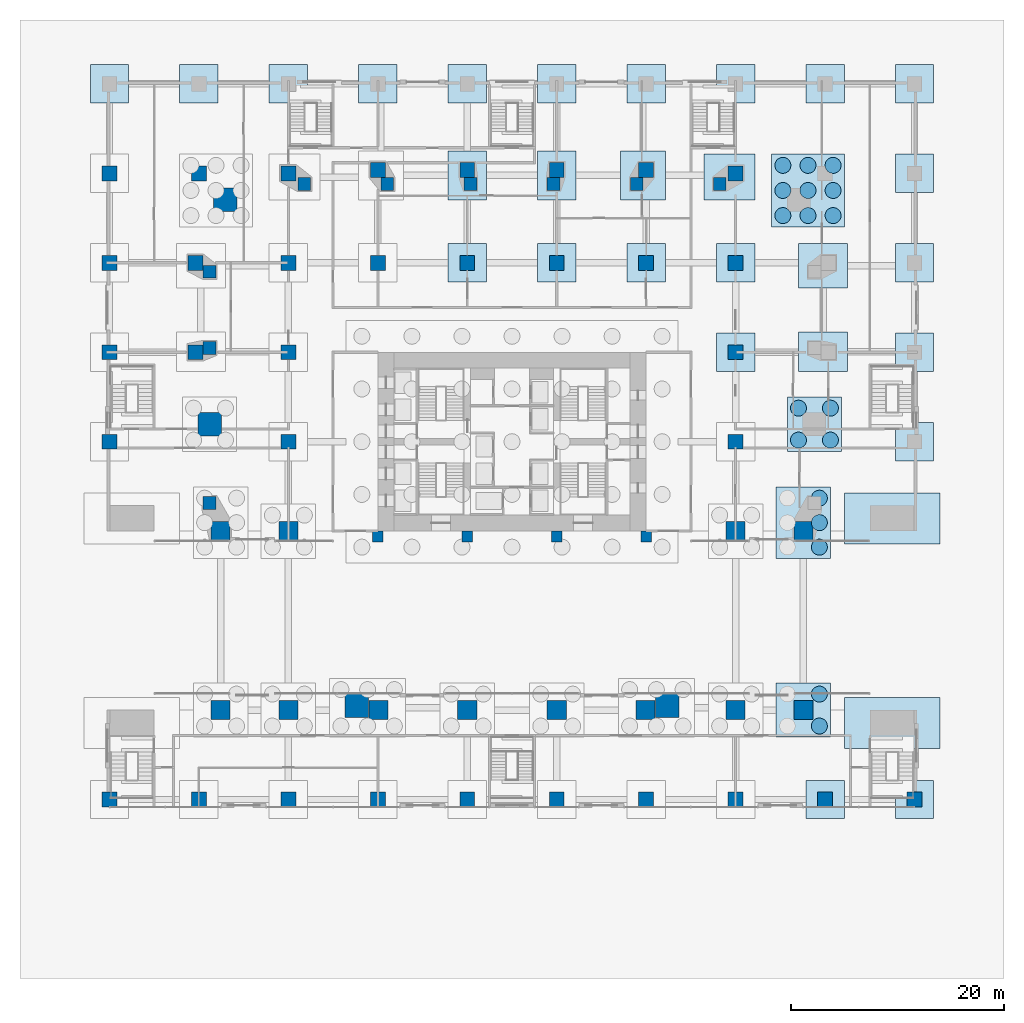
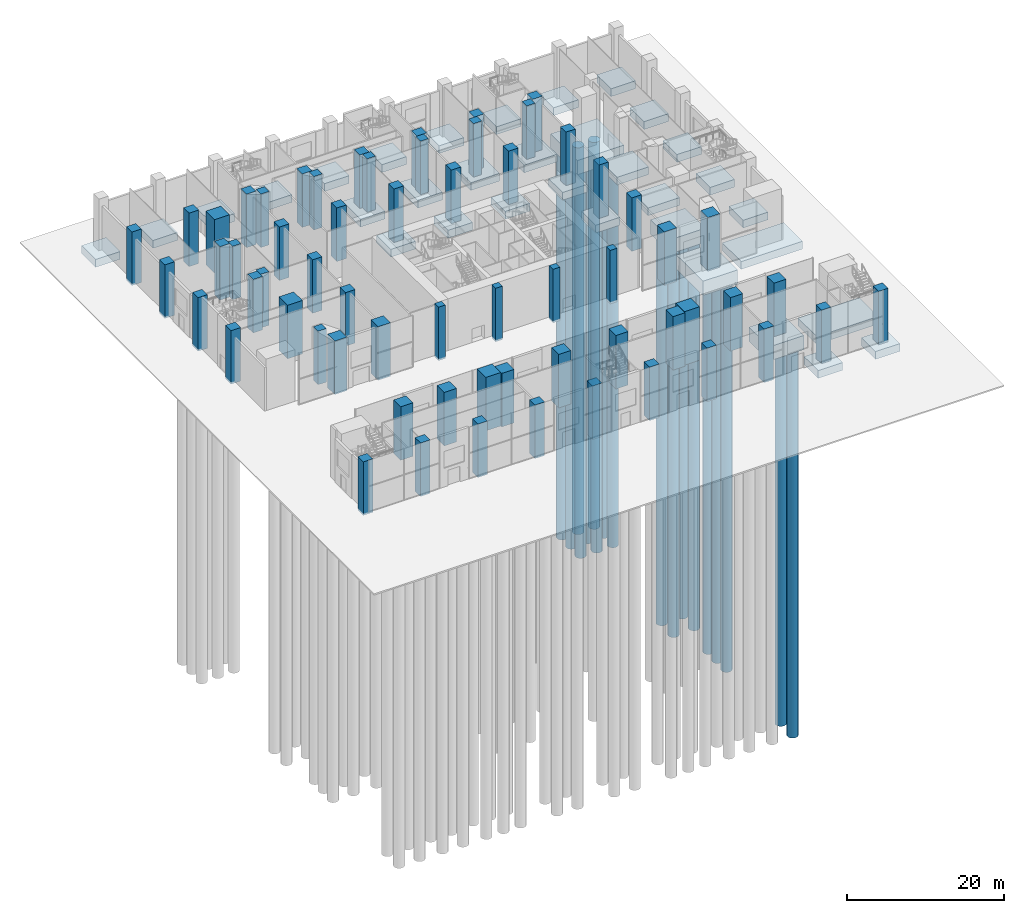
# One storey, part 2 of 31: 62 columns, 33 footings, 18 piles.
"""IFC4 building model written with IfcOpenShell, lengths in metres."""

from ifc_helpers import new_model, si_unit, direction, frame, origin, origin_2d, place, context, subcontext, project, spatial, polyline, rectangle, circle, outline, extrude, material, layer, layer_set, material_profile, profile_set, type_object, element, save


model = new_model("IFC4")

# Units and contexts
model_context = context("Model", 3, precision=1e-05, world=origin(), true_north=direction((0.0, 1.0)))
body_context = subcontext(model_context, "Body", "Model", "MODEL_VIEW")
ifc_project = project(units=[si_unit("LENGTHUNIT", "METRE"), si_unit("AREAUNIT", "SQUARE_METRE"), si_unit("VOLUMEUNIT", "CUBIC_METRE"), si_unit("PLANEANGLEUNIT", "RADIAN"), si_unit("MASSUNIT", "GRAM", prefix="KILO")], contexts=[model_context])

# Site, building, storey
site_placement = place(None, origin())
site = spatial("IfcSite", under=ifc_project, at=site_placement, CompositionType="ELEMENT")
building_placement = place(site_placement, origin())
building = spatial("IfcBuilding", under=site, at=building_placement, Name="Marenta Gate Hotel Tower", CompositionType="ELEMENT")
storey_placement = place(building_placement, origin())
storey = spatial("IfcBuildingStorey", under=building, at=storey_placement, Name="L00", CompositionType="ELEMENT", Elevation=0.0)

# Piles
ifc_material_1 = material(Name="Concrete C40", Category="concrete")
pile_type = type_object("IfcPileType", Name="Bored pile D1500", PredefinedType="BORED", material=ifc_material_1)
for number, where, z_axis, x_axis, name in (
    (1, (25.43603515625, 29.635009765625, -2.5), (0.0, 0.0, -1.0), (1.0, 0.0, 0.0), "BP-1500 L00-PL-10/J+NE-mega-1"),
    (2, (25.43603515625, 31.991943359375, -2.5), (0.0, 0.0, -1.0), (1.0, 0.0, 0.0), "BP-1500 L00-PL-10/J+NE-mega-2"),
    (3, (25.43603515625, 34.35009765625, -2.5), (0.0, 0.0, -1.0), (1.0, 0.0, 0.0), "BP-1500 L00-PL-10/J+NE-mega-3"),
    (4, (27.79296875, 29.635009765625, -2.5), (0.0, 0.0, -1.0), (1.0, 0.0, 0.0), "BP-1500 L00-PL-10/J+NE-mega-4"),
    (5, (27.79296875, 31.991943359375, -2.5), (0.0, 0.0, -1.0), (1.0, 0.0, 0.0), "BP-1500 L00-PL-10/J+NE-mega-5"),
    (6, (27.79296875, 34.35009765625, -2.5), (0.0, 0.0, -1.0), (1.0, 0.0, 0.0), "BP-1500 L00-PL-10/J+NE-mega-6"),
    (7, (30.14990234375, 29.635009765625, -2.5), (0.0, 0.0, -1.0), (1.0, 0.0, 0.0), "BP-1500 L00-PL-10/J+NE-mega-7"),
    (8, (30.14990234375, 31.991943359375, -2.5), (0.0, 0.0, -1.0), (1.0, 0.0, 0.0), "BP-1500 L00-PL-10/J+NE-mega-8"),
    (9, (30.14990234375, 34.35009765625, -2.5), (0.0, 0.0, -1.0), (1.0, 0.0, 0.0), "BP-1500 L00-PL-10/J+NE-mega-9"),
    (10, (28.863037109375, -18.300048828125, -2.5), (0.0, 0.0, -1.0), (1.0, 0.0, 0.0), "BP-1500 L00-PL-ES-lane-3"),
    (11, (28.863037109375, -15.300048828125, -2.5), (0.0, 0.0, -1.0), (1.0, 0.0, 0.0), "BP-1500 L00-PL-ES-lane-4"),
    (12, (28.863037109375, -1.5, -2.5), (0.0, 0.0, -1.0), (1.0, 0.0, 0.0), "BP-1500 L00-PL-EN-lane+BC-E-SE-1-4"),
    (13, (28.863037109375, 0.800048828125, -2.5), (0.0, 0.0, -1.0), (1.0, 0.0, 0.0), "BP-1500 L00-PL-EN-lane+BC-E-SE-1-5"),
    (14, (28.863037109375, 3.09912109375, -2.5), (0.0, 0.0, -1.0), (1.0, 0.0, 0.0), "BP-1500 L00-PL-EN-lane+BC-E-SE-1-6"),
    (15, (26.89990234375, 8.550048828125, -2.5), (0.0, 0.0, -1.0), (1.0, 0.0, 0.0), "BP-1500 L00-PL-E-mega-1"),
    (16, (26.89990234375, 11.550048828125, -2.5), (0.0, 0.0, -1.0), (1.0, 0.0, 0.0), "BP-1500 L00-PL-E-mega-2"),
    (17, (29.89990234375, 8.550048828125, -2.5), (0.0, 0.0, -1.0), (1.0, 0.0, 0.0), "BP-1500 L00-PL-E-mega-3"),
    (18, (29.89990234375, 11.550048828125, -2.5), (0.0, 0.0, -1.0), (1.0, 0.0, 0.0), "BP-1500 L00-PL-E-mega-4"),
):
    element("IfcPile", number, at=place(storey_placement, frame(where, z_axis=z_axis, x_axis=x_axis)), inside=storey, type_object=pile_type, Name=name, PredefinedType="BORED", context=body_context, shape_type="SweptSolid", body=[
        extrude(circle(Radius=0.75, at=origin_2d()), origin(), (0.0, 0.0, 1.0), 60.0),
    ])

# Footings
ifc_material_2 = material(Name="Concrete C40", Category="concrete")
ifc_layer_1 = layer(ifc_material_2, 1.199951171875)
ifc_layer_set_1 = layer_set([ifc_layer_1], Name="Concrete C40")
footing_type_1 = type_object("IfcFootingType", Name="Pad footing 3600 x 3600 x 1200", PredefinedType="PAD_FOOTING", material=ifc_layer_set_1)
footing_1_placement = place(storey_placement, frame((0.0, 0.0, -1.5)))
element("IfcFooting", 19, at=footing_1_placement, inside=storey, type_object=footing_type_1, Name="L00-FT-10/C", PredefinedType="PAD_FOOTING", context=body_context, shape_type="SweptSolid", body=[
    extrude(outline(polyline([(27.60009765625, -27.0), (31.199951171875, -27.0), (31.199951171875, -23.39990234375), (27.60009765625, -23.39990234375), (27.60009765625, -27.0)])), origin(), (0.0, 0.0, 1.0), 1.199951171875),
])
footing_2_placement = place(storey_placement, frame((0.0, 0.0, -1.5)))
element("IfcFooting", 20, at=footing_2_placement, inside=storey, type_object=footing_type_1, Name="L00-FT-11/C", PredefinedType="PAD_FOOTING", context=body_context, shape_type="SweptSolid", body=[
    extrude(outline(polyline([(36.0, -27.0), (39.60009765625, -27.0), (39.60009765625, -23.39990234375), (36.0, -23.39990234375), (36.0, -27.0)])), origin(), (0.0, 0.0, 1.0), 1.199951171875),
])
footing_3_placement = place(storey_placement, frame((0.0, 0.0, -1.5)))
element("IfcFooting", 21, at=footing_3_placement, inside=storey, type_object=footing_type_1, Name="L00-FT-11/G", PredefinedType="PAD_FOOTING", context=body_context, shape_type="SweptSolid", body=[
    extrude(outline(polyline([(36.0, 6.60009765625), (39.60009765625, 6.60009765625), (39.60009765625, 10.199951171875), (36.0, 10.199951171875), (36.0, 6.60009765625)])), origin(), (0.0, 0.0, 1.0), 1.199951171875),
])
footing_4_placement = place(storey_placement, frame((0.0, 0.0, -1.5)))
element("IfcFooting", 22, at=footing_4_placement, inside=storey, type_object=footing_type_1, Name="L00-FT-9/H", PredefinedType="PAD_FOOTING", context=body_context, shape_type="SweptSolid", body=[
    extrude(outline(polyline([(19.199951171875, 15.0), (22.800048828125, 15.0), (22.800048828125, 18.60009765625), (19.199951171875, 18.60009765625), (19.199951171875, 15.0)])), origin(), (0.0, 0.0, 1.0), 1.199951171875),
])
footing_5_placement = place(storey_placement, frame((0.0, 0.0, -1.5)))
element("IfcFooting", 23, at=footing_5_placement, inside=storey, type_object=footing_type_1, Name="L00-FT-11/H", PredefinedType="PAD_FOOTING", context=body_context, shape_type="SweptSolid", body=[
    extrude(outline(polyline([(36.0, 15.0), (39.60009765625, 15.0), (39.60009765625, 18.60009765625), (36.0, 18.60009765625), (36.0, 15.0)])), origin(), (0.0, 0.0, 1.0), 1.199951171875),
])
footing_6_placement = place(storey_placement, frame((0.0, 0.0, -1.5)))
element("IfcFooting", 24, at=footing_6_placement, inside=storey, type_object=footing_type_1, Name="L00-FT-6/I", PredefinedType="PAD_FOOTING", context=body_context, shape_type="SweptSolid", body=[
    extrude(outline(polyline([(-6.0, 23.39990234375), (-2.39990234375, 23.39990234375), (-2.39990234375, 27.0), (-6.0, 27.0), (-6.0, 23.39990234375)])), origin(), (0.0, 0.0, 1.0), 1.199951171875),
])
footing_7_placement = place(storey_placement, frame((0.0, 0.0, -1.5)))
element("IfcFooting", 25, at=footing_7_placement, inside=storey, type_object=footing_type_1, Name="L00-FT-7/I", PredefinedType="PAD_FOOTING", context=body_context, shape_type="SweptSolid", body=[
    extrude(outline(polyline([(2.39990234375, 23.39990234375), (6.0, 23.39990234375), (6.0, 27.0), (2.39990234375, 27.0), (2.39990234375, 23.39990234375)])), origin(), (0.0, 0.0, 1.0), 1.199951171875),
])
footing_8_placement = place(storey_placement, frame((0.0, 0.0, -1.5)))
element("IfcFooting", 26, at=footing_8_placement, inside=storey, type_object=footing_type_1, Name="L00-FT-8/I", PredefinedType="PAD_FOOTING", context=body_context, shape_type="SweptSolid", body=[
    extrude(outline(polyline([(10.800048828125, 23.39990234375), (14.39990234375, 23.39990234375), (14.39990234375, 27.0), (10.800048828125, 27.0), (10.800048828125, 23.39990234375)])), origin(), (0.0, 0.0, 1.0), 1.199951171875),
])
footing_9_placement = place(storey_placement, frame((0.0, 0.0, -1.5)))
element("IfcFooting", 27, at=footing_9_placement, inside=storey, type_object=footing_type_1, Name="L00-FT-9/I", PredefinedType="PAD_FOOTING", context=body_context, shape_type="SweptSolid", body=[
    extrude(outline(polyline([(19.199951171875, 23.39990234375), (22.800048828125, 23.39990234375), (22.800048828125, 27.0), (19.199951171875, 27.0), (19.199951171875, 23.39990234375)])), origin(), (0.0, 0.0, 1.0), 1.199951171875),
])
footing_10_placement = place(storey_placement, frame((0.0, 0.0, -1.5)))
element("IfcFooting", 28, at=footing_10_placement, inside=storey, type_object=footing_type_1, Name="L00-FT-11/I", PredefinedType="PAD_FOOTING", context=body_context, shape_type="SweptSolid", body=[
    extrude(outline(polyline([(36.0, 23.39990234375), (39.60009765625, 23.39990234375), (39.60009765625, 27.0), (36.0, 27.0), (36.0, 23.39990234375)])), origin(), (0.0, 0.0, 1.0), 1.199951171875),
])
footing_11_placement = place(storey_placement, frame((0.0, 0.0, -1.5)))
element("IfcFooting", 29, at=footing_11_placement, inside=storey, type_object=footing_type_1, Name="L00-FT-11/J", PredefinedType="PAD_FOOTING", context=body_context, shape_type="SweptSolid", body=[
    extrude(outline(polyline([(36.0, 31.800048828125), (39.60009765625, 31.800048828125), (39.60009765625, 35.39990234375), (36.0, 35.39990234375), (36.0, 31.800048828125)])), origin(), (0.0, 0.0, 1.0), 1.199951171875),
])
footing_12_placement = place(storey_placement, frame((0.0, 0.0, -1.5)))
element("IfcFooting", 30, at=footing_12_placement, inside=storey, type_object=footing_type_1, Name="L00-FT-2/K", PredefinedType="PAD_FOOTING", context=body_context, shape_type="SweptSolid", body=[
    extrude(outline(polyline([(-39.60009765625, 40.199951171875), (-36.0, 40.199951171875), (-36.0, 43.800048828125), (-39.60009765625, 43.800048828125), (-39.60009765625, 40.199951171875)])), origin(), (0.0, 0.0, 1.0), 1.199951171875),
])
footing_13_placement = place(storey_placement, frame((0.0, 0.0, -1.5)))
element("IfcFooting", 31, at=footing_13_placement, inside=storey, type_object=footing_type_1, Name="L00-FT-3/K", PredefinedType="PAD_FOOTING", context=body_context, shape_type="SweptSolid", body=[
    extrude(outline(polyline([(-31.199951171875, 40.199951171875), (-27.60009765625, 40.199951171875), (-27.60009765625, 43.800048828125), (-31.199951171875, 43.800048828125), (-31.199951171875, 40.199951171875)])), origin(), (0.0, 0.0, 1.0), 1.199951171875),
])
footing_14_placement = place(storey_placement, frame((0.0, 0.0, -1.5)))
element("IfcFooting", 32, at=footing_14_placement, inside=storey, type_object=footing_type_1, Name="L00-FT-4/K", PredefinedType="PAD_FOOTING", context=body_context, shape_type="SweptSolid", body=[
    extrude(outline(polyline([(-22.800048828125, 40.199951171875), (-19.199951171875, 40.199951171875), (-19.199951171875, 43.800048828125), (-22.800048828125, 43.800048828125), (-22.800048828125, 40.199951171875)])), origin(), (0.0, 0.0, 1.0), 1.199951171875),
])
footing_15_placement = place(storey_placement, frame((0.0, 0.0, -1.5)))
element("IfcFooting", 33, at=footing_15_placement, inside=storey, type_object=footing_type_1, Name="L00-FT-5/K", PredefinedType="PAD_FOOTING", context=body_context, shape_type="SweptSolid", body=[
    extrude(outline(polyline([(-14.39990234375, 40.199951171875), (-10.800048828125, 40.199951171875), (-10.800048828125, 43.800048828125), (-14.39990234375, 43.800048828125), (-14.39990234375, 40.199951171875)])), origin(), (0.0, 0.0, 1.0), 1.199951171875),
])
footing_16_placement = place(storey_placement, frame((0.0, 0.0, -1.5)))
element("IfcFooting", 34, at=footing_16_placement, inside=storey, type_object=footing_type_1, Name="L00-FT-6/K", PredefinedType="PAD_FOOTING", context=body_context, shape_type="SweptSolid", body=[
    extrude(outline(polyline([(-6.0, 40.199951171875), (-2.39990234375, 40.199951171875), (-2.39990234375, 43.800048828125), (-6.0, 43.800048828125), (-6.0, 40.199951171875)])), origin(), (0.0, 0.0, 1.0), 1.199951171875),
])
footing_17_placement = place(storey_placement, frame((0.0, 0.0, -1.5)))
element("IfcFooting", 35, at=footing_17_placement, inside=storey, type_object=footing_type_1, Name="L00-FT-7/K", PredefinedType="PAD_FOOTING", context=body_context, shape_type="SweptSolid", body=[
    extrude(outline(polyline([(2.39990234375, 40.199951171875), (6.0, 40.199951171875), (6.0, 43.800048828125), (2.39990234375, 43.800048828125), (2.39990234375, 40.199951171875)])), origin(), (0.0, 0.0, 1.0), 1.199951171875),
])
footing_18_placement = place(storey_placement, frame((0.0, 0.0, -1.5)))
element("IfcFooting", 36, at=footing_18_placement, inside=storey, type_object=footing_type_1, Name="L00-FT-8/K", PredefinedType="PAD_FOOTING", context=body_context, shape_type="SweptSolid", body=[
    extrude(outline(polyline([(10.800048828125, 40.199951171875), (14.39990234375, 40.199951171875), (14.39990234375, 43.800048828125), (10.800048828125, 43.800048828125), (10.800048828125, 40.199951171875)])), origin(), (0.0, 0.0, 1.0), 1.199951171875),
])
footing_19_placement = place(storey_placement, frame((0.0, 0.0, -1.5)))
element("IfcFooting", 37, at=footing_19_placement, inside=storey, type_object=footing_type_1, Name="L00-FT-9/K", PredefinedType="PAD_FOOTING", context=body_context, shape_type="SweptSolid", body=[
    extrude(outline(polyline([(19.199951171875, 40.199951171875), (22.800048828125, 40.199951171875), (22.800048828125, 43.800048828125), (19.199951171875, 43.800048828125), (19.199951171875, 40.199951171875)])), origin(), (0.0, 0.0, 1.0), 1.199951171875),
])
footing_20_placement = place(storey_placement, frame((0.0, 0.0, -1.5)))
element("IfcFooting", 38, at=footing_20_placement, inside=storey, type_object=footing_type_1, Name="L00-FT-10/K", PredefinedType="PAD_FOOTING", context=body_context, shape_type="SweptSolid", body=[
    extrude(outline(polyline([(27.60009765625, 40.199951171875), (31.199951171875, 40.199951171875), (31.199951171875, 43.800048828125), (27.60009765625, 43.800048828125), (27.60009765625, 40.199951171875)])), origin(), (0.0, 0.0, 1.0), 1.199951171875),
])
footing_21_placement = place(storey_placement, frame((0.0, 0.0, -1.5)))
element("IfcFooting", 39, at=footing_21_placement, inside=storey, type_object=footing_type_1, Name="L00-FT-11/K", PredefinedType="PAD_FOOTING", context=body_context, shape_type="SweptSolid", body=[
    extrude(outline(polyline([(36.0, 40.199951171875), (39.60009765625, 40.199951171875), (39.60009765625, 43.800048828125), (36.0, 43.800048828125), (36.0, 40.199951171875)])), origin(), (0.0, 0.0, 1.0), 1.199951171875),
])
ifc_material_3 = material(Name="Concrete C40", Category="concrete")
ifc_layer_2 = layer(ifc_material_3, 1.199951171875)
ifc_layer_set_2 = layer_set([ifc_layer_2], Name="Concrete C40")
footing_type_2 = type_object("IfcFootingType", Name="Pad footing 3600 x 4620 x 1200", PredefinedType="PAD_FOOTING", material=ifc_layer_set_2)
footing_22_placement = place(storey_placement, frame((0.0, 0.0, -1.5)))
element("IfcFooting", 40, at=footing_22_placement, inside=storey, type_object=footing_type_2, Name="L00-FT-6/J+BC-NW-NE-3", PredefinedType="PAD_FOOTING", context=body_context, shape_type="SweptSolid", body=[
    extrude(outline(polyline([(-6.0, 31.10009765625), (-2.39990234375, 31.10009765625), (-2.39990234375, 35.719970703125), (-6.0, 35.719970703125), (-6.0, 31.10009765625)])), origin(), (0.0, 0.0, 1.0), 1.199951171875),
])
footing_23_placement = place(storey_placement, frame((0.0, 0.0, -1.5)))
element("IfcFooting", 41, at=footing_23_placement, inside=storey, type_object=footing_type_2, Name="L00-FT-7/J+BC-NW-NE-4", PredefinedType="PAD_FOOTING", context=body_context, shape_type="SweptSolid", body=[
    extrude(outline(polyline([(2.39990234375, 31.10009765625), (6.0, 31.10009765625), (6.0, 35.719970703125), (2.39990234375, 35.719970703125), (2.39990234375, 31.10009765625)])), origin(), (0.0, 0.0, 1.0), 1.199951171875),
])
ifc_material_4 = material(Name="Concrete C40", Category="concrete")
ifc_layer_3 = layer(ifc_material_4, 1.199951171875)
ifc_layer_set_3 = layer_set([ifc_layer_3], Name="Concrete C40")
footing_type_3 = type_object("IfcFootingType", Name="Pad footing 4196 x 4620 x 1200", PredefinedType="PAD_FOOTING", material=ifc_layer_set_3)
footing_24_placement = place(storey_placement, frame((0.0, 0.0, -1.5)))
element("IfcFooting", 42, at=footing_24_placement, inside=storey, type_object=footing_type_3, Name="L00-FT-8/J+BC-NW-NE-5", PredefinedType="PAD_FOOTING", context=body_context, shape_type="SweptSolid", body=[
    extrude(outline(polyline([(10.2041015625, 31.10009765625), (14.39990234375, 31.10009765625), (14.39990234375, 35.719970703125), (10.2041015625, 35.719970703125), (10.2041015625, 31.10009765625)])), origin(), (0.0, 0.0, 1.0), 1.199951171875),
])
ifc_material_5 = material(Name="Concrete C40", Category="concrete")
ifc_layer_4 = layer(ifc_material_5, 1.199951171875)
ifc_layer_set_4 = layer_set([ifc_layer_4], Name="Concrete C40")
footing_type_4 = type_object("IfcFootingType", Name="Pad footing 4620 x 3703 x 1200", PredefinedType="PAD_FOOTING", material=ifc_layer_set_4)
footing_25_placement = place(storey_placement, frame((0.0, 0.0, -1.5)))
element("IfcFooting", 43, at=footing_25_placement, inside=storey, type_object=footing_type_4, Name="L00-FT-10/H+BC-NE-E-2", PredefinedType="PAD_FOOTING", context=body_context, shape_type="SweptSolid", body=[
    extrude(outline(polyline([(26.89990234375, 15.0), (31.52001953125, 15.0), (31.52001953125, 18.702880859375), (26.89990234375, 18.702880859375), (26.89990234375, 15.0)])), origin(), (0.0, 0.0, 1.0), 1.199951171875),
])
ifc_material_6 = material(Name="Concrete C40", Category="concrete")
ifc_layer_5 = layer(ifc_material_6, 1.199951171875)
ifc_layer_set_5 = layer_set([ifc_layer_5], Name="Concrete C40")
footing_type_5 = type_object("IfcFootingType", Name="Pad footing 4620 x 4144 x 1200", PredefinedType="PAD_FOOTING", material=ifc_layer_set_5)
footing_26_placement = place(storey_placement, frame((0.0, 0.0, -1.5)))
element("IfcFooting", 44, at=footing_26_placement, inside=storey, type_object=footing_type_5, Name="L00-FT-10/I+BC-NE-E-1", PredefinedType="PAD_FOOTING", context=body_context, shape_type="SweptSolid", body=[
    extrude(outline(polyline([(26.89990234375, 22.85595703125), (31.52001953125, 22.85595703125), (31.52001953125, 27.0), (26.89990234375, 27.0), (26.89990234375, 22.85595703125)])), origin(), (0.0, 0.0, 1.0), 1.199951171875),
])
ifc_material_7 = material(Name="Concrete C40", Category="concrete")
ifc_layer_6 = layer(ifc_material_7, 1.199951171875)
ifc_layer_set_6 = layer_set([ifc_layer_6], Name="Concrete C40")
footing_type_6 = type_object("IfcFootingType", Name="Pad footing 4793 x 4300 x 1200", PredefinedType="PAD_FOOTING", material=ifc_layer_set_6)
footing_27_placement = place(storey_placement, frame((0.0, 0.0, -1.5)))
element("IfcFooting", 45, at=footing_27_placement, inside=storey, type_object=footing_type_6, Name="L00-FT-9/J+BC-NW-NE-6", PredefinedType="PAD_FOOTING", context=body_context, shape_type="SweptSolid", body=[
    extrude(outline(polyline([(18.007080078125, 31.10009765625), (22.800048828125, 31.10009765625), (22.800048828125, 35.39990234375), (18.007080078125, 35.39990234375), (18.007080078125, 31.10009765625)])), origin(), (0.0, 0.0, 1.0), 1.199951171875),
])
ifc_material_8 = material(Name="Concrete C40", Category="concrete")
ifc_layer_7 = layer(ifc_material_8, 2.199951171875)
ifc_layer_set_7 = layer_set([ifc_layer_7], Name="Concrete C40")
footing_type_7 = type_object("IfcFootingType", Name="Pile cap 5100 x 5100 x 2200", PredefinedType="PILE_CAP", material=ifc_layer_set_7)
footing_28_placement = place(storey_placement, frame((0.0, 0.0, -2.5)))
element("IfcFooting", 46, at=footing_28_placement, inside=storey, type_object=footing_type_7, Name="L00-FT-ES-lane", PredefinedType="PILE_CAP", context=body_context, shape_type="SweptSolid", body=[
    extrude(outline(polyline([(24.81298828125, -19.35009765625), (29.9130859375, -19.35009765625), (29.9130859375, -14.25), (24.81298828125, -14.25), (24.81298828125, -19.35009765625)])), origin(), (0.0, 0.0, 1.0), 2.199951171875),
])
footing_29_placement = place(storey_placement, frame((0.0, 0.0, -2.5)))
element("IfcFooting", 47, at=footing_29_placement, inside=storey, type_object=footing_type_7, Name="L00-FT-E-mega", PredefinedType="PILE_CAP", context=body_context, shape_type="SweptSolid", body=[
    extrude(outline(polyline([(25.85009765625, 7.5), (30.949951171875, 7.5), (30.949951171875, 12.60009765625), (25.85009765625, 12.60009765625), (25.85009765625, 7.5)])), origin(), (0.0, 0.0, 1.0), 2.199951171875),
])
ifc_material_9 = material(Name="Concrete C40", Category="concrete")
ifc_layer_8 = layer(ifc_material_9, 2.199951171875)
ifc_layer_set_8 = layer_set([ifc_layer_8], Name="Concrete C40")
footing_type_8 = type_object("IfcFootingType", Name="Pile cap 5100 x 6699 x 2200", PredefinedType="PILE_CAP", material=ifc_layer_set_8)
footing_30_placement = place(storey_placement, frame((0.0, 0.0, -2.5)))
element("IfcFooting", 48, at=footing_30_placement, inside=storey, type_object=footing_type_8, Name="L00-FT-EN-lane+BC-E-SE-1", PredefinedType="PILE_CAP", context=body_context, shape_type="SweptSolid", body=[
    extrude(outline(polyline([(24.81298828125, -2.550048828125), (29.9130859375, -2.550048828125), (29.9130859375, 4.14892578125), (24.81298828125, 4.14892578125), (24.81298828125, -2.550048828125)])), origin(), (0.0, 0.0, 1.0), 2.199951171875),
])
ifc_material_10 = material(Name="Concrete C40", Category="concrete")
ifc_layer_9 = layer(ifc_material_10, 2.199951171875)
ifc_layer_set_9 = layer_set([ifc_layer_9], Name="Concrete C40")
footing_type_9 = type_object("IfcFootingType", Name="Pile cap 6814 x 6815 x 2200", PredefinedType="PILE_CAP", material=ifc_layer_set_9)
footing_31_placement = place(storey_placement, frame((0.0, 0.0, -2.5)))
element("IfcFooting", 49, at=footing_31_placement, inside=storey, type_object=footing_type_9, Name="L00-FT-10/J+NE-mega", PredefinedType="PILE_CAP", context=body_context, shape_type="SweptSolid", body=[
    extrude(outline(polyline([(24.385986328125, 28.5849609375), (31.199951171875, 28.5849609375), (31.199951171875, 35.39990234375), (24.385986328125, 35.39990234375), (24.385986328125, 28.5849609375)])), origin(), (0.0, 0.0, 1.0), 2.199951171875),
])
ifc_material_11 = material(Name="Concrete C40", Category="concrete")
ifc_layer_10 = layer(ifc_material_11, 1.199951171875)
ifc_layer_set_10 = layer_set([ifc_layer_10], Name="Concrete C40")
footing_type_10 = type_object("IfcFootingType", Name="Strip footing 4800 x 1200", PredefinedType="STRIP_FOOTING", material=ifc_layer_set_10)
footing_32_placement = place(storey_placement, frame((0.0, 0.0, -1.5)))
element("IfcFooting", 50, at=footing_32_placement, inside=storey, type_object=footing_type_10, Name="SF-4800 L00-FT-WES", PredefinedType="STRIP_FOOTING", context=body_context, shape_type="SweptSolid", body=[
    extrude(outline(polyline([(31.199951171875, -20.39990234375), (40.199951171875, -20.39990234375), (40.199951171875, -15.60009765625), (31.199951171875, -15.60009765625), (31.199951171875, -20.39990234375)])), origin(), (0.0, 0.0, 1.0), 1.199951171875),
])
footing_33_placement = place(storey_placement, frame((0.0, 0.0, -1.5)))
element("IfcFooting", 51, at=footing_33_placement, inside=storey, type_object=footing_type_10, Name="SF-4800 L00-FT-WEN", PredefinedType="STRIP_FOOTING", context=body_context, shape_type="SweptSolid", body=[
    extrude(outline(polyline([(31.199951171875, -1.199951171875), (40.199951171875, -1.199951171875), (40.199951171875, 3.60009765625), (31.199951171875, 3.60009765625), (31.199951171875, -1.199951171875)])), origin(), (0.0, 0.0, 1.0), 1.199951171875),
])

# Columns
ifc_material_12 = material(Name="Concrete C80", Category="concrete")
ifc_material_profile_1 = material_profile(ifc_material_12, rectangle(XDim=1.0, YDim=1.0, at=origin_2d()), Name="1000 x 1000")
ifc_profile_set_1 = profile_set([ifc_material_profile_1], Name="Concrete C80")
column_type_1 = type_object("IfcColumnType", Name="Core pier 1000 x 1000 C80", PredefinedType="COLUMN", material=ifc_profile_set_1)
for number, where, z_axis, x_axis, name in (
    (52, (-12.60009765625, -0.5, -0.300048828125), (0.0, 0.0, 1.0), (1.0, 0.0, 0.0), "L00-CP--12.6"),
    (53, (-4.199951171875, -0.5, -0.300048828125), (0.0, 0.0, 1.0), (1.0, 0.0, 0.0), "L00-CP--4.2"),
    (54, (4.199951171875, -0.5, -0.300048828125), (0.0, 0.0, 1.0), (1.0, 0.0, 0.0), "L00-CP-+4.2"),
    (55, (12.60009765625, -0.5, -0.300048828125), (0.0, 0.0, 1.0), (1.0, 0.0, 0.0), "L00-CP-+12.6"),
):
    element("IfcColumn", number, at=place(storey_placement, frame(where, z_axis=z_axis, x_axis=x_axis)), inside=storey, type_object=column_type_1, Name=name, PredefinedType="COLUMN", context=body_context, shape_type="SweptSolid", body=[
        extrude(rectangle(XDim=1.0, YDim=1.0, at=origin_2d()), origin(), (0.0, 0.0, 1.0), 8.300048828125),
    ])
ifc_material_13 = material(Name="Concrete C80", Category="concrete")
ifc_material_profile_2 = material_profile(ifc_material_13, rectangle(XDim=1.800048828125, YDim=1.800048828125, at=origin_2d()), Name="1800 x 1800")
ifc_profile_set_2 = profile_set([ifc_material_profile_2], Name="Concrete C80")
column_type_2 = type_object("IfcColumnType", Name="Gate lane column 1800 x 1800 C80", PredefinedType="COLUMN", material=ifc_profile_set_2)
for number, where, z_axis, x_axis, name in (
    (56, (-21.0, -16.800048828125, -0.300048828125), (0.0, 0.0, 1.0), (1.0, 0.0, 0.0), "L00-PCOL-4/D"),
    (57, (-12.54638671875, -16.800048828125, -0.300048828125), (0.0, 0.0, 1.0), (1.0, 0.0, 0.0), "L00-PCOL-5/D"),
    (58, (-4.199951171875, -16.800048828125, -0.300048828125), (0.0, 0.0, 1.0), (1.0, 0.0, 0.0), "L00-PCOL-6/D"),
    (59, (4.199951171875, -16.800048828125, -0.300048828125), (0.0, 0.0, 1.0), (1.0, 0.0, 0.0), "L00-PCOL-7/D"),
    (60, (12.54638671875, -16.800048828125, -0.300048828125), (0.0, 0.0, 1.0), (1.0, 0.0, 0.0), "L00-PCOL-8/D"),
    (61, (21.0, -16.800048828125, -0.300048828125), (0.0, 0.0, 1.0), (1.0, 0.0, 0.0), "L00-PCOL-9/D"),
    (62, (-21.0, 0.0, -0.300048828125), (0.0, 0.0, 1.0), (1.0, 0.0, 0.0), "L00-PCOL-4/F"),
    (63, (21.0, 0.0, -0.300048828125), (0.0, 0.0, 1.0), (1.0, 0.0, 0.0), "L00-PCOL-9/F"),
    (64, (-27.363037109375, -16.800048828125, -0.300048828125), (0.0, 0.0, 1.0), (1.0, 0.0, 0.0), "L00-PCOL-WS-lane"),
    (65, (-27.363037109375, 0.0, -0.300048828125), (0.0, 0.0, 1.0), (1.0, 0.0, 0.0), "L00-PCOL-WN-lane"),
    (66, (27.363037109375, -16.800048828125, -0.300048828125), (0.0, 0.0, 1.0), (1.0, 0.0, 0.0), "L00-PCOL-ES-lane"),
    (67, (27.363037109375, 0.0, -0.300048828125), (0.0, 0.0, 1.0), (1.0, 0.0, 0.0), "L00-PCOL-EN-lane"),
):
    element("IfcColumn", number, at=place(storey_placement, frame(where, z_axis=z_axis, x_axis=x_axis)), inside=storey, type_object=column_type_2, Name=name, PredefinedType="COLUMN", context=body_context, shape_type="SweptSolid", body=[
        extrude(rectangle(XDim=1.800048828125, YDim=1.800048828125, at=origin_2d()), origin(), (0.0, 0.0, 1.0), 8.300048828125),
    ])
ifc_material_14 = material(Name="Concrete C70", Category="concrete")
ifc_material_profile_3 = material_profile(ifc_material_14, rectangle(XDim=1.199951171875, YDim=1.199951171875, at=origin_2d()), Name="1200 x 1200")
ifc_profile_set_3 = profile_set([ifc_material_profile_3], Name="Concrete C70")
column_type_3 = type_object("IfcColumnType", Name="Podium base column 1200 x 1200 C70", PredefinedType="COLUMN", material=ifc_profile_set_3)
for number, where, z_axis, x_axis, name in (
    (68, (-28.39990234375, 2.649169921875, -0.300048828125), (0.0, 0.0, 1.0), (1.0, 0.0, 0.0), "L00-BC-SW-W-2"),
    (69, (-28.39990234375, 17.203125, -0.300048828125), (0.0, 0.0, 1.0), (1.0, 0.0, 0.0), "L00-BC-W-NW-1"),
    (70, (-28.39990234375, 24.3564453125, -0.300048828125), (0.0, 0.0, 1.0), (1.0, 0.0, 0.0), "L00-BC-W-NW-2"),
    (71, (-19.5068359375, 32.60009765625, -0.300048828125), (0.0, 0.0, 1.0), (1.0, 0.0, 0.0), "L00-BC-NW-NE-1"),
    (72, (-11.7041015625, 32.60009765625, -0.300048828125), (0.0, 0.0, 1.0), (1.0, 0.0, 0.0), "L00-BC-NW-NE-2"),
    (73, (-3.9013671875, 32.60009765625, -0.300048828125), (0.0, 0.0, 1.0), (1.0, 0.0, 0.0), "L00-BC-NW-NE-3"),
    (74, (3.9013671875, 32.60009765625, -0.300048828125), (0.0, 0.0, 1.0), (1.0, 0.0, 0.0), "L00-BC-NW-NE-4"),
    (75, (11.7041015625, 32.60009765625, -0.300048828125), (0.0, 0.0, 1.0), (1.0, 0.0, 0.0), "L00-BC-NW-NE-5"),
    (76, (19.5068359375, 32.60009765625, -0.300048828125), (0.0, 0.0, 1.0), (1.0, 0.0, 0.0), "L00-BC-NW-NE-6"),
):
    element("IfcColumn", number, at=place(storey_placement, frame(where, z_axis=z_axis, x_axis=x_axis)), inside=storey, type_object=column_type_3, Name=name, PredefinedType="COLUMN", context=body_context, shape_type="SweptSolid", body=[
        extrude(rectangle(XDim=1.199951171875, YDim=1.199951171875, at=origin_2d()), origin(), (0.0, 0.0, 1.0), 8.300048828125),
    ])
ifc_material_15 = material(Name="Concrete C70", Category="concrete")
ifc_material_profile_4 = material_profile(ifc_material_15, rectangle(XDim=1.39990234375, YDim=1.39990234375, at=origin_2d()), Name="1400 x 1400")
ifc_profile_set_4 = profile_set([ifc_material_profile_4], Name="Concrete C70")
column_type_4 = type_object("IfcColumnType", Name="Podium column 1400 x 1400 C70", PredefinedType="COLUMN", material=ifc_profile_set_4)
for number, where, z_axis, x_axis, name in (
    (77, (-37.800048828125, -25.199951171875, -0.300048828125), (0.0, 0.0, 1.0), (1.0, 0.0, 0.0), "L00-PCOL-2/C"),
    (78, (-29.39990234375, -25.199951171875, -0.300048828125), (0.0, 0.0, 1.0), (1.0, 0.0, 0.0), "L00-PCOL-3/C"),
    (79, (-21.0, -25.199951171875, -0.300048828125), (0.0, 0.0, 1.0), (1.0, 0.0, 0.0), "L00-PCOL-4/C"),
    (80, (-12.60009765625, -25.199951171875, -0.300048828125), (0.0, 0.0, 1.0), (1.0, 0.0, 0.0), "L00-PCOL-5/C"),
    (81, (-4.199951171875, -25.199951171875, -0.300048828125), (0.0, 0.0, 1.0), (1.0, 0.0, 0.0), "L00-PCOL-6/C"),
    (82, (4.199951171875, -25.199951171875, -0.300048828125), (0.0, 0.0, 1.0), (1.0, 0.0, 0.0), "L00-PCOL-7/C"),
    (83, (12.60009765625, -25.199951171875, -0.300048828125), (0.0, 0.0, 1.0), (1.0, 0.0, 0.0), "L00-PCOL-8/C"),
    (84, (21.0, -25.199951171875, -0.300048828125), (0.0, 0.0, 1.0), (1.0, 0.0, 0.0), "L00-PCOL-9/C"),
    (85, (29.39990234375, -25.199951171875, -0.300048828125), (0.0, 0.0, 1.0), (1.0, 0.0, 0.0), "L00-PCOL-10/C"),
    (86, (37.800048828125, -25.199951171875, -0.300048828125), (0.0, 0.0, 1.0), (1.0, 0.0, 0.0), "L00-PCOL-11/C"),
    (87, (-37.800048828125, 8.39990234375, -0.300048828125), (0.0, 0.0, 1.0), (1.0, 0.0, 0.0), "L00-PCOL-2/G"),
    (88, (-21.0, 8.39990234375, -0.300048828125), (0.0, 0.0, 1.0), (1.0, 0.0, 0.0), "L00-PCOL-4/G"),
    (89, (21.0, 8.39990234375, -0.300048828125), (0.0, 0.0, 1.0), (1.0, 0.0, 0.0), "L00-PCOL-9/G"),
    (90, (-37.800048828125, 16.800048828125, -0.300048828125), (0.0, 0.0, 1.0), (1.0, 0.0, 0.0), "L00-PCOL-2/H"),
    (91, (-29.719970703125, 16.800048828125, -0.300048828125), (0.0, 0.0, 1.0), (1.0, 0.0, 0.0), "L00-PCOL-3/H"),
    (92, (-21.0, 16.800048828125, -0.300048828125), (0.0, 0.0, 1.0), (1.0, 0.0, 0.0), "L00-PCOL-4/H"),
    (93, (21.0, 16.800048828125, -0.300048828125), (0.0, 0.0, 1.0), (1.0, 0.0, 0.0), "L00-PCOL-9/H"),
    (94, (-37.800048828125, 25.199951171875, -0.300048828125), (0.0, 0.0, 1.0), (1.0, 0.0, 0.0), "L00-PCOL-2/I"),
    (95, (-29.719970703125, 25.199951171875, -0.300048828125), (0.0, 0.0, 1.0), (1.0, 0.0, 0.0), "L00-PCOL-3/I"),
    (96, (-21.0, 25.199951171875, -0.300048828125), (0.0, 0.0, 1.0), (1.0, 0.0, 0.0), "L00-PCOL-4/I"),
    (97, (-12.60009765625, 25.199951171875, -0.300048828125), (0.0, 0.0, 1.0), (1.0, 0.0, 0.0), "L00-PCOL-5/I"),
    (98, (-4.199951171875, 25.199951171875, -0.300048828125), (0.0, 0.0, 1.0), (1.0, 0.0, 0.0), "L00-PCOL-6/I"),
    (99, (4.199951171875, 25.199951171875, -0.300048828125), (0.0, 0.0, 1.0), (1.0, 0.0, 0.0), "L00-PCOL-7/I"),
    (100, (12.60009765625, 25.199951171875, -0.300048828125), (0.0, 0.0, 1.0), (1.0, 0.0, 0.0), "L00-PCOL-8/I"),
    (101, (21.0, 25.199951171875, -0.300048828125), (0.0, 0.0, 1.0), (1.0, 0.0, 0.0), "L00-PCOL-9/I"),
    (102, (-37.800048828125, 33.60009765625, -0.300048828125), (0.0, 0.0, 1.0), (1.0, 0.0, 0.0), "L00-PCOL-2/J"),
    (103, (-29.39990234375, 33.60009765625, -0.300048828125), (0.0, 0.0, 1.0), (1.0, 0.0, 0.0), "L00-PCOL-3/J"),
    (104, (-21.0, 33.60009765625, -0.300048828125), (0.0, 0.0, 1.0), (1.0, 0.0, 0.0), "L00-PCOL-4/J"),
    (105, (-12.60009765625, 33.919921875, -0.300048828125), (0.0, 0.0, 1.0), (1.0, 0.0, 0.0), "L00-PCOL-5/J"),
    (106, (-4.199951171875, 33.919921875, -0.300048828125), (0.0, 0.0, 1.0), (1.0, 0.0, 0.0), "L00-PCOL-6/J"),
    (107, (4.199951171875, 33.919921875, -0.300048828125), (0.0, 0.0, 1.0), (1.0, 0.0, 0.0), "L00-PCOL-7/J"),
    (108, (12.60009765625, 33.919921875, -0.300048828125), (0.0, 0.0, 1.0), (1.0, 0.0, 0.0), "L00-PCOL-8/J"),
    (109, (21.0, 33.60009765625, -0.300048828125), (0.0, 0.0, 1.0), (1.0, 0.0, 0.0), "L00-PCOL-9/J"),
):
    element("IfcColumn", number, at=place(storey_placement, frame(where, z_axis=z_axis, x_axis=x_axis)), inside=storey, type_object=column_type_4, Name=name, PredefinedType="COLUMN", context=body_context, shape_type="SweptSolid", body=[
        extrude(rectangle(XDim=1.39990234375, YDim=1.39990234375, at=origin_2d()), origin(), (0.0, 0.0, 1.0), 8.300048828125),
    ])
ifc_material_16 = material(Name="Concrete C80", Category="concrete")
ifc_material_profile_5 = material_profile(ifc_material_16, rectangle(XDim=2.199951171875, YDim=2.199951171875, at=origin_2d()), Name="2200 x 2200")
ifc_profile_set_5 = profile_set([ifc_material_profile_5], Name="Concrete C80")
column_type_5 = type_object("IfcColumnType", Name="Podium column under mega column 2200 x 2200 C80", PredefinedType="COLUMN", material=ifc_profile_set_5)
for number, where, z_axis, x_axis, name in (
    (110, (-28.39990234375, 10.050048828125, -0.300048828125), (0.0, 0.0, 1.0), (1.0, 0.0, 0.0), "L00-PCOL-W-mega"),
    (111, (-26.935546875, 31.135498046875, -0.300048828125), (0.0, 0.0, 1.0), (1.0, 0.0, 0.0), "L00-PCOL-NW-mega"),
    (112, (-14.56640625, -16.374755859375, -0.300048828125), (0.0, 0.0, 1.0), (1.0, 0.0, 0.0), "L00-PCOL-SKW-mega"),
    (113, (14.56640625, -16.374755859375, -0.300048828125), (0.0, 0.0, 1.0), (1.0, 0.0, 0.0), "L00-PCOL-SKE-mega"),
):
    element("IfcColumn", number, at=place(storey_placement, frame(where, z_axis=z_axis, x_axis=x_axis)), inside=storey, type_object=column_type_5, Name=name, PredefinedType="COLUMN", context=body_context, shape_type="SweptSolid", body=[
        extrude(rectangle(XDim=2.199951171875, YDim=2.199951171875, at=origin_2d()), origin(), (0.0, 0.0, 1.0), 8.300048828125),
    ])

save(model, "model.ifc")
